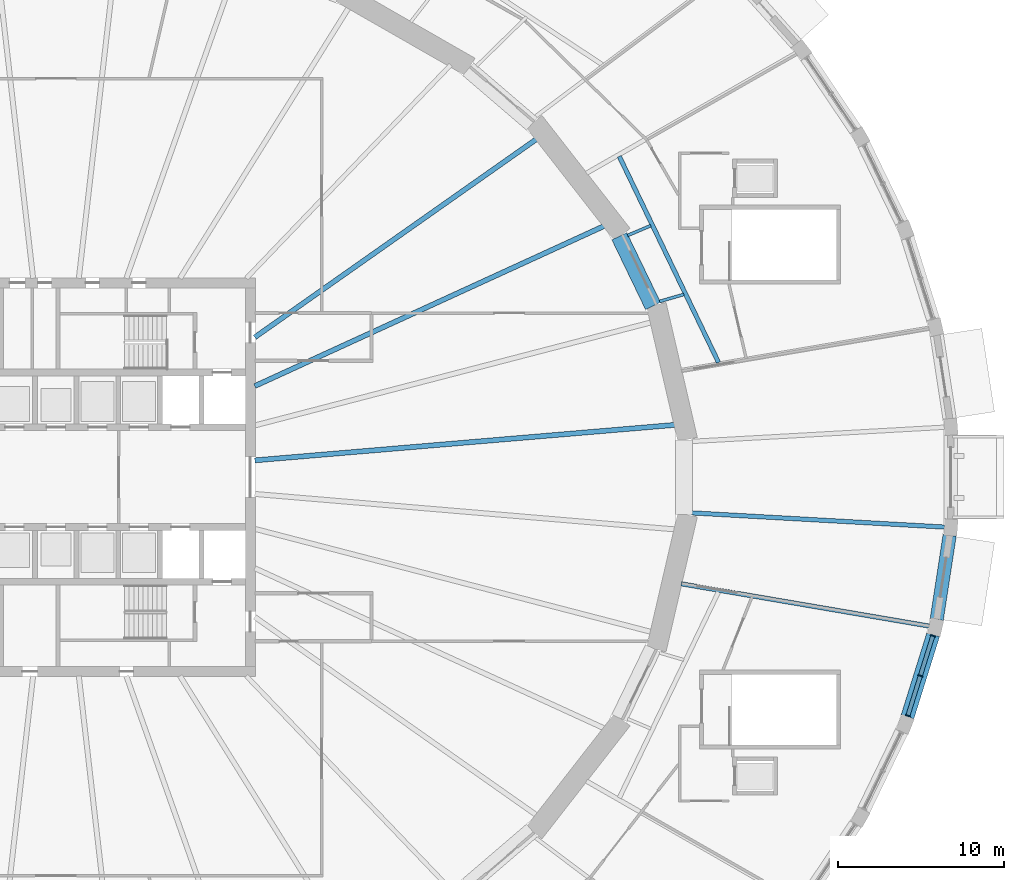
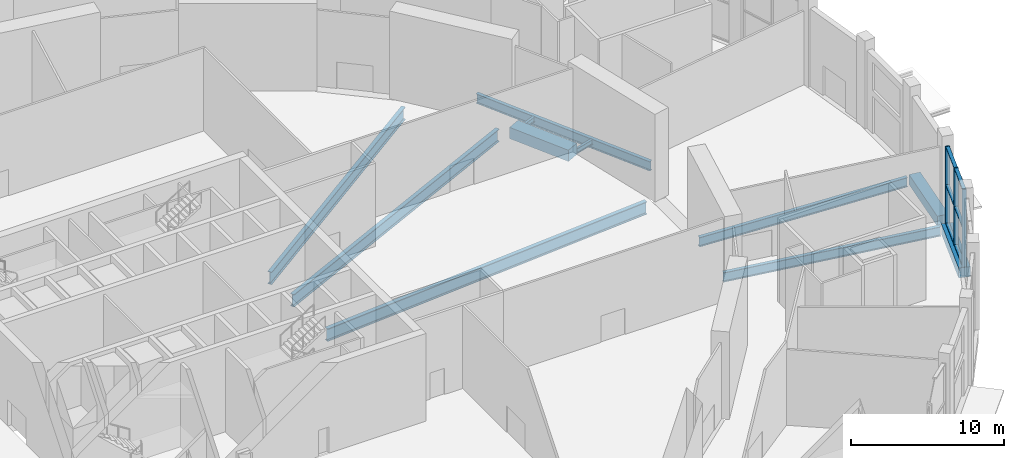
# One storey, part 9 of 33: 11 beams, 9 members, 1 element without a shape of its own.
"""IFC4 building model written with IfcOpenShell, lengths in metres."""

from ifc_helpers import new_model, si_unit, direction, frame, origin, origin_2d, place, context, subcontext, project, spatial, rectangle, i_section, extrude, material, material_profile, profile_set, type_object, element, aggregate, save


model = new_model("IFC4")

# Units and contexts
model_context = context("Model", 3, precision=1e-05, world=origin(), true_north=direction((0.0, 1.0)))
body_context = subcontext(model_context, "Body", "Model", "MODEL_VIEW")
ifc_project = project(units=[si_unit("LENGTHUNIT", "METRE"), si_unit("AREAUNIT", "SQUARE_METRE"), si_unit("VOLUMEUNIT", "CUBIC_METRE"), si_unit("PLANEANGLEUNIT", "RADIAN"), si_unit("MASSUNIT", "GRAM", prefix="KILO")], contexts=[model_context])

# Site, building, storey
site_placement = place(None, origin())
site = spatial("IfcSite", under=ifc_project, at=site_placement, CompositionType="ELEMENT")
building_placement = place(site_placement, origin())
building = spatial("IfcBuilding", under=site, at=building_placement, Name="Halqa Exchange Tower", CompositionType="ELEMENT")
storey_placement = place(building_placement, origin())
storey = spatial("IfcBuildingStorey", under=building, at=storey_placement, Name="L00", CompositionType="ELEMENT", Elevation=0.0)

# Beams
ifc_material_1 = material(Name="Steel S355", Category="steel")
ifc_material_profile_1 = material_profile(ifc_material_1, i_section(OverallWidth=0.300048828125, OverallDepth=1.0, WebThickness=0.01904296875, FlangeThickness=0.035888671875, FilletRadius=0.030029296875, at=origin_2d()), Name="HEB 1000")
ifc_profile_set_1 = profile_set([ifc_material_profile_1], Name="Steel S355")
beam_type_1 = type_object("IfcBeamType", Name="Floor beam HEB 1000", PredefinedType="BEAM", material=ifc_profile_set_1)
beam_1_placement = place(storey_placement, frame((11.972412109375, 5.485107421875, -0.949951171875), z_axis=(0.909128229117, 0.416516341843, 0.0), x_axis=(-0.416516341843, 0.909128229117, 0.0)))
element("IfcBeam", 1, at=beam_1_placement, inside=storey, type_object=beam_type_1, Name="Radial beam 3", PredefinedType="BEAM", context=body_context, shape_type="SweptSolid", body=[
    extrude(i_section(OverallWidth=0.300048828125, OverallDepth=1.0, WebThickness=0.01904296875, FlangeThickness=0.035888671875, FilletRadius=0.030029296875, at=origin_2d()), origin(), (0.0, 0.0, 1.0), 23.209228515625),
])
beam_2_placement = place(storey_placement, frame((11.972412109375, 8.421875, -0.949951171875), z_axis=(0.817909911418, 0.575346310325, 0.0), x_axis=(-0.575346310325, 0.817909911418, 0.0)))
element("IfcBeam", 2, at=beam_2_placement, inside=storey, type_object=beam_type_1, Name="Radial beam 4", PredefinedType="BEAM", context=body_context, shape_type="SweptSolid", body=[
    extrude(i_section(OverallWidth=0.300048828125, OverallDepth=1.0, WebThickness=0.01904296875, FlangeThickness=0.035888671875, FilletRadius=0.030029296875, at=origin_2d()), origin(), (0.0, 0.0, 1.0), 20.804443359375),
])
ifc_material_profile_2 = material_profile(ifc_material_1, i_section(OverallWidth=0.302001953125, OverallDepth=1.008056640625, WebThickness=0.02099609375, FlangeThickness=0.0400390625, FilletRadius=0.030029296875, at=origin_2d()), Name="HEM 1000")
ifc_profile_set_2 = profile_set([ifc_material_profile_2], Name="Steel S355")
beam_type_2 = type_object("IfcBeamType", Name="Floor beam HEM 1000", PredefinedType="BEAM", material=ifc_profile_set_2)
beam_3_placement = place(storey_placement, frame((11.972412109375, 1.0107421875, -0.9541015625), z_axis=(0.996455167327, 0.084125498561, 0.0), x_axis=(-0.084125498561, 0.996455167327, 0.0)))
element("IfcBeam", 3, at=beam_3_placement, inside=storey, type_object=beam_type_2, Name="Radial beam 1", PredefinedType="BEAM", context=body_context, shape_type="SweptSolid", body=[
    extrude(i_section(OverallWidth=0.302001953125, OverallDepth=1.008056640625, WebThickness=0.02099609375, FlangeThickness=0.0400390625, FilletRadius=0.030029296875, at=origin_2d()), origin(), (0.0, 0.0, 1.0), 25.460205078125),
])
ifc_material_profile_3 = material_profile(ifc_material_1, i_section(OverallWidth=0.179931640625, OverallDepth=0.39990234375, WebThickness=0.008544921875, FlangeThickness=0.013427734375, FilletRadius=0.02099609375, at=origin_2d()), Name="IPE 400")
ifc_profile_set_3 = profile_set([ifc_material_profile_3], Name="Steel S355")
beam_type_3 = type_object("IfcBeamType", Name="Floor beam IPE 400", PredefinedType="BEAM", material=ifc_profile_set_3)
beam_4_placement = place(storey_placement, frame((36.34521484375, 10.578369140625, -0.64990234375), z_axis=(0.960174163417, 0.279402175917, 0.0), x_axis=(-0.279402175917, 0.960174163417, 0.0)))
element("IfcBeam", 4, at=beam_4_placement, inside=storey, type_object=beam_type_3, Name="Radial beam 3a", PredefinedType="BEAM", context=body_context, shape_type="SweptSolid", body=[
    extrude(i_section(OverallWidth=0.179931640625, OverallDepth=0.39990234375, WebThickness=0.008544921875, FlangeThickness=0.013427734375, FilletRadius=0.02099609375, at=origin_2d()), origin(), (0.0, 0.0, 1.0), 1.521240234375),
])
beam_5_placement = place(storey_placement, frame((34.423583984375, 14.555419921875, -0.64990234375), z_axis=(0.921076708702, 0.389381171459, 0.0), x_axis=(-0.389381171459, 0.921076708702, 0.0)))
element("IfcBeam", 5, at=beam_5_placement, inside=storey, type_object=beam_type_3, Name="Radial beam 4a", PredefinedType="BEAM", context=body_context, shape_type="SweptSolid", body=[
    extrude(i_section(OverallWidth=0.179931640625, OverallDepth=0.39990234375, WebThickness=0.008544921875, FlangeThickness=0.013427734375, FilletRadius=0.02099609375, at=origin_2d()), origin(), (0.0, 0.0, 1.0), 1.5078125),
])
ifc_material_profile_4 = material_profile(ifc_material_1, i_section(OverallWidth=0.264892578125, OverallDepth=0.7529296875, WebThickness=0.01318359375, FlangeThickness=0.01708984375, FilletRadius=0.01708984375, at=origin_2d()), Name="IPE 750x147")
ifc_profile_set_4 = profile_set([ifc_material_profile_4], Name="Steel S355")
beam_type_4 = type_object("IfcBeamType", Name="Floor beam IPE 750x147", PredefinedType="BEAM", material=ifc_profile_set_4)
beam_6_placement = place(storey_placement, frame((37.654296875, -6.421875, -0.826416015625), z_axis=(0.985764762639, -0.168130403968, 0.0), x_axis=(0.168130403968, 0.985764762639, 0.0)))
element("IfcBeam", 6, at=beam_6_placement, inside=storey, type_object=beam_type_4, Name="Radial beam 47", PredefinedType="BEAM", context=body_context, shape_type="SweptSolid", body=[
    extrude(i_section(OverallWidth=0.264892578125, OverallDepth=0.7529296875, WebThickness=0.01318359375, FlangeThickness=0.01708984375, FilletRadius=0.01708984375, at=origin_2d()), origin(), (0.0, 0.0, 1.0), 15.156982421875),
])
beam_7_placement = place(storey_placement, frame((38.2880859375, -2.151611328125, -0.826416015625), z_axis=(0.998424130563, -0.056118227964, 0.0), x_axis=(0.056118227964, 0.998424130563, 0.0)))
element("IfcBeam", 7, at=beam_7_placement, inside=storey, type_object=beam_type_4, Name="Radial beam 48", PredefinedType="BEAM", context=body_context, shape_type="SweptSolid", body=[
    extrude(i_section(OverallWidth=0.264892578125, OverallDepth=0.7529296875, WebThickness=0.01318359375, FlangeThickness=0.01708984375, FilletRadius=0.01708984375, at=origin_2d()), origin(), (0.0, 0.0, 1.0), 15.248291015625),
])
beam_8_placement = place(storey_placement, frame((39.89306640625, 6.91015625, -0.826416015625), z_axis=(-0.433856142987, 0.900982156978, 0.0), x_axis=(-0.900982156978, -0.433856142987, 0.0)))
element("IfcBeam", 8, at=beam_8_placement, inside=storey, type_object=beam_type_4, Name="Radial beam TSS1-in", PredefinedType="BEAM", context=body_context, shape_type="SweptSolid", body=[
    extrude(i_section(OverallWidth=0.264892578125, OverallDepth=0.7529296875, WebThickness=0.01318359375, FlangeThickness=0.01708984375, FilletRadius=0.01708984375, at=origin_2d()), origin(), (0.0, 0.0, 1.0), 13.766357421875),
])
ifc_material_2 = material(Name="Concrete C60/75", Category="concrete")
ifc_material_profile_5 = material_profile(ifc_material_2, rectangle(XDim=0.800048828125, YDim=0.800048828125, at=origin_2d()), Name="800 x 800")
ifc_profile_set_5 = profile_set([ifc_material_profile_5], Name="Concrete C60/75")
beam_type_5 = type_object("IfcBeamType", Name="RC podium edge beam 800 x 800 C60/75", PredefinedType="SPANDREL", material=ifc_profile_set_5)
beam_9_placement = place(storey_placement, frame((51.275390625, -14.430419921875, -0.39990234375), z_axis=(0.298331338153, 0.954462368392, 0.0), x_axis=(-0.954462368392, 0.298331338153, 0.0)))
element("IfcBeam", 9, at=beam_9_placement, inside=storey, type_object=beam_type_5, Name="Podium edge beam 46", PredefinedType="SPANDREL", context=body_context, shape_type="SweptSolid", body=[
    extrude(rectangle(XDim=0.800048828125, YDim=0.800048828125, at=origin_2d()), origin(), (0.0, 0.0, 1.0), 5.180908203125),
])
beam_10_placement = place(storey_placement, frame((53.0341796875, -8.56591796875, -0.39990234375), z_axis=(0.151767505705, 0.988416220128, 0.0), x_axis=(-0.988416220128, 0.151767505705, 0.0)))
element("IfcBeam", 10, at=beam_10_placement, inside=storey, type_object=beam_type_5, Name="Podium edge beam 47", PredefinedType="SPANDREL", context=body_context, shape_type="SweptSolid", body=[
    extrude(rectangle(XDim=0.800048828125, YDim=0.800048828125, at=origin_2d()), origin(), (0.0, 0.0, 1.0), 5.1298828125),
])
ifc_material_profile_6 = material_profile(ifc_material_2, rectangle(XDim=1.0, YDim=0.89990234375, at=origin_2d()), Name="1000 x 900")
ifc_profile_set_6 = profile_set([ifc_material_profile_6], Name="Concrete C60/75")
beam_type_6 = type_object("IfcBeamType", Name="RC spandrel beam 1000 x 900 C60/75", PredefinedType="SPANDREL", material=ifc_profile_set_6)
beam_11_placement = place(storey_placement, frame((35.951904296875, 10.306884765625, -0.449951171875), z_axis=(-0.435068215878, 0.900397494184, 0.0), x_axis=(-0.900397494184, -0.435068215878, 0.0)))
element("IfcBeam", 11, at=beam_11_placement, inside=storey, type_object=beam_type_6, Name="Spandrel 2", PredefinedType="SPANDREL", context=body_context, shape_type="SweptSolid", body=[
    extrude(rectangle(XDim=1.0, YDim=0.89990234375, at=origin_2d()), origin(), (0.0, 0.0, 1.0), 4.6630859375),
])

# Curtain wall, members
ifc_material_3 = material(Name="Anodised aluminium and clear glass", Category="aluminium")
curtain_wall_type = type_object("IfcCurtainWallType", Name="Station concourse glazing", PredefinedType="NOTDEFINED", material=ifc_material_3)
curtain_wall_placement = place(storey_placement, origin())
curtain_wall = element("IfcCurtainWall", 12, at=curtain_wall_placement, inside=storey, type_object=curtain_wall_type, Name="Station concourse glazing run P46", PredefinedType="NOTDEFINED")
ifc_material_4 = material(Name="Anodised aluminium", Category="aluminium")
ifc_material_profile_7 = material_profile(ifc_material_4, rectangle(XDim=0.300048828125, YDim=0.080078125, at=origin_2d()), Name="AL 80x300")
ifc_profile_set_7 = profile_set([ifc_material_profile_7], Name="Anodised aluminium")
member_type_1 = type_object("IfcMemberType", Name="Station concourse glazing mullion 80 x 300", PredefinedType="MULLION", material=ifc_profile_set_7)
member_1_placement = place(storey_placement, frame((51.295166015625, -14.3671875, 0.0), z_axis=(0.0, 0.0, 1.0), x_axis=(-0.95447130463, 0.298302746613, 0.0)))
member_1 = element("IfcMember", 13, at=member_1_placement, type_object=member_type_1, Name="P46 mullion 1", PredefinedType="MULLION", context=body_context, shape_type="SweptSolid", body=[
    extrude(rectangle(XDim=0.300048828125, YDim=0.080078125, at=origin_2d()), origin(), (0.0, 0.0, 1.0), 6.199951171875),
])
member_2_placement = place(storey_placement, frame((52.04833984375, -11.957763671875, 0.0), z_axis=(0.0, 0.0, 1.0), x_axis=(-0.95447130463, 0.298302746613, 0.0)))
member_2 = element("IfcMember", 14, at=member_2_placement, type_object=member_type_1, Name="P46 mullion 2", PredefinedType="MULLION", context=body_context, shape_type="SweptSolid", body=[
    extrude(rectangle(XDim=0.300048828125, YDim=0.080078125, at=origin_2d()), origin(), (0.0, 0.0, 1.0), 6.199951171875),
])
member_3_placement = place(storey_placement, frame((52.80126953125, -9.548095703125, 0.0), z_axis=(0.0, 0.0, 1.0), x_axis=(-0.95447130463, 0.298302746613, 0.0)))
member_3 = element("IfcMember", 15, at=member_3_placement, type_object=member_type_1, Name="P46 mullion 3", PredefinedType="MULLION", context=body_context, shape_type="SweptSolid", body=[
    extrude(rectangle(XDim=0.300048828125, YDim=0.080078125, at=origin_2d()), origin(), (0.0, 0.0, 1.0), 6.199951171875),
])
ifc_material_profile_8 = material_profile(ifc_material_4, rectangle(XDim=0.25, YDim=0.080078125, at=origin_2d()), Name="AL 80x250")
ifc_profile_set_8 = profile_set([ifc_material_profile_8], Name="Anodised aluminium")
member_type_2 = type_object("IfcMemberType", Name="Station concourse glazing transom 80 x 250", PredefinedType="USERDEFINED", material=ifc_profile_set_8)
member_4_placement = place(storey_placement, frame((51.30712890625, -14.3291015625, 0.0400390625), z_axis=(0.298314799128, 0.954467537751, 0.0), x_axis=(-0.954467537751, 0.298314799128, 0.0)))
member_4 = element("IfcMember", 16, at=member_4_placement, type_object=member_type_2, Name="P46 transom 1.1", ObjectType="TRANSOM", PredefinedType="USERDEFINED", context=body_context, shape_type="SweptSolid", body=[
    extrude(rectangle(XDim=0.25, YDim=0.080078125, at=origin_2d()), origin(), (0.0, 0.0, 1.0), 2.444580078125),
])
member_5_placement = place(storey_placement, frame((51.30712890625, -14.3291015625, 3.10009765625), z_axis=(0.298314799128, 0.954467537751, 0.0), x_axis=(-0.954467537751, 0.298314799128, 0.0)))
member_5 = element("IfcMember", 17, at=member_5_placement, type_object=member_type_2, Name="P46 transom 1.2", ObjectType="TRANSOM", PredefinedType="USERDEFINED", context=body_context, shape_type="SweptSolid", body=[
    extrude(rectangle(XDim=0.25, YDim=0.080078125, at=origin_2d()), origin(), (0.0, 0.0, 1.0), 2.444580078125),
])
member_6_placement = place(storey_placement, frame((51.30712890625, -14.3291015625, 6.159912109375), z_axis=(0.298314799128, 0.954467537751, 0.0), x_axis=(-0.954467537751, 0.298314799128, 0.0)))
member_6 = element("IfcMember", 18, at=member_6_placement, type_object=member_type_2, Name="P46 transom 1.3", ObjectType="TRANSOM", PredefinedType="USERDEFINED", context=body_context, shape_type="SweptSolid", body=[
    extrude(rectangle(XDim=0.25, YDim=0.080078125, at=origin_2d()), origin(), (0.0, 0.0, 1.0), 2.444580078125),
])
member_7_placement = place(storey_placement, frame((52.060302734375, -11.91943359375, 0.0400390625), z_axis=(0.298314799128, 0.954467537751, 0.0), x_axis=(-0.954467537751, 0.298314799128, 0.0)))
member_7 = element("IfcMember", 19, at=member_7_placement, type_object=member_type_2, Name="P46 transom 2.1", ObjectType="TRANSOM", PredefinedType="USERDEFINED", context=body_context, shape_type="SweptSolid", body=[
    extrude(rectangle(XDim=0.25, YDim=0.080078125, at=origin_2d()), origin(), (0.0, 0.0, 1.0), 2.444580078125),
])
member_8_placement = place(storey_placement, frame((52.060302734375, -11.91943359375, 3.10009765625), z_axis=(0.298314799128, 0.954467537751, 0.0), x_axis=(-0.954467537751, 0.298314799128, 0.0)))
member_8 = element("IfcMember", 20, at=member_8_placement, type_object=member_type_2, Name="P46 transom 2.2", ObjectType="TRANSOM", PredefinedType="USERDEFINED", context=body_context, shape_type="SweptSolid", body=[
    extrude(rectangle(XDim=0.25, YDim=0.080078125, at=origin_2d()), origin(), (0.0, 0.0, 1.0), 2.444580078125),
])
member_9_placement = place(storey_placement, frame((52.060302734375, -11.91943359375, 6.159912109375), z_axis=(0.298314799128, 0.954467537751, 0.0), x_axis=(-0.954467537751, 0.298314799128, 0.0)))
member_9 = element("IfcMember", 21, at=member_9_placement, type_object=member_type_2, Name="P46 transom 2.3", ObjectType="TRANSOM", PredefinedType="USERDEFINED", context=body_context, shape_type="SweptSolid", body=[
    extrude(rectangle(XDim=0.25, YDim=0.080078125, at=origin_2d()), origin(), (0.0, 0.0, 1.0), 2.444580078125),
])
aggregate(curtain_wall, [member_1, member_2, member_3, member_4, member_5, member_6, member_7, member_8, member_9])

save(model, "model.ifc")
